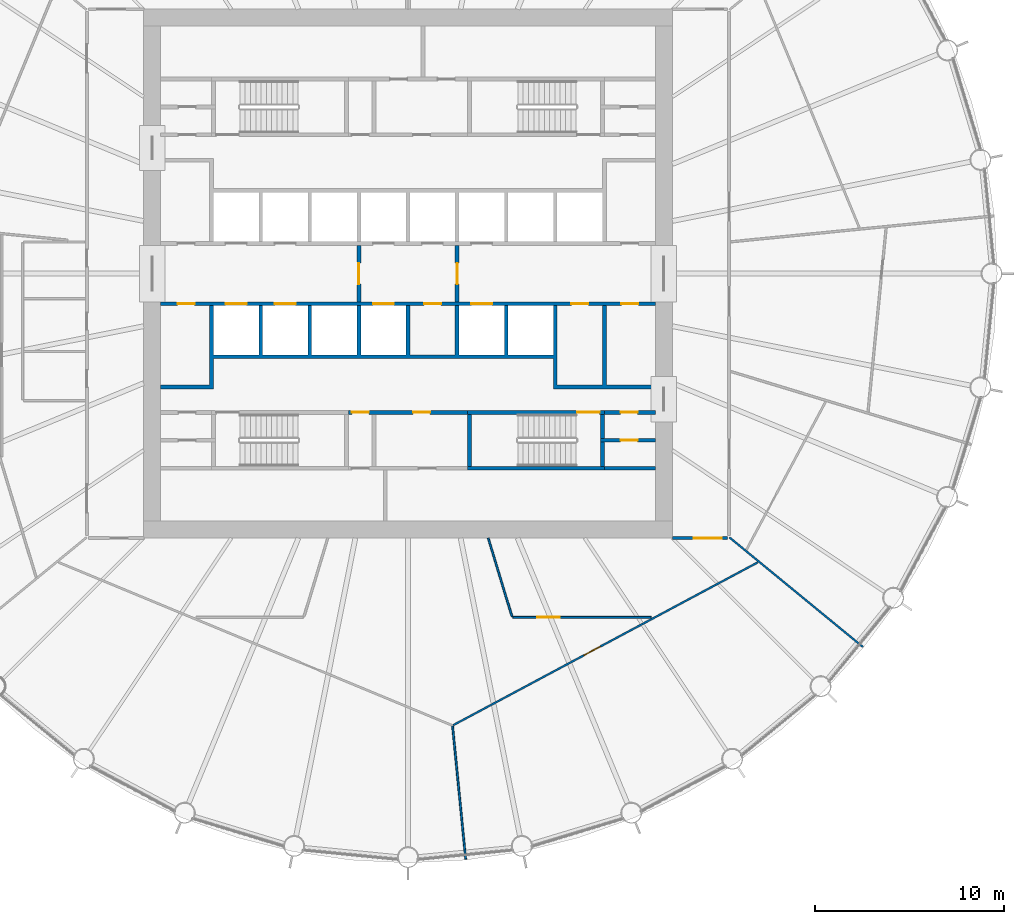
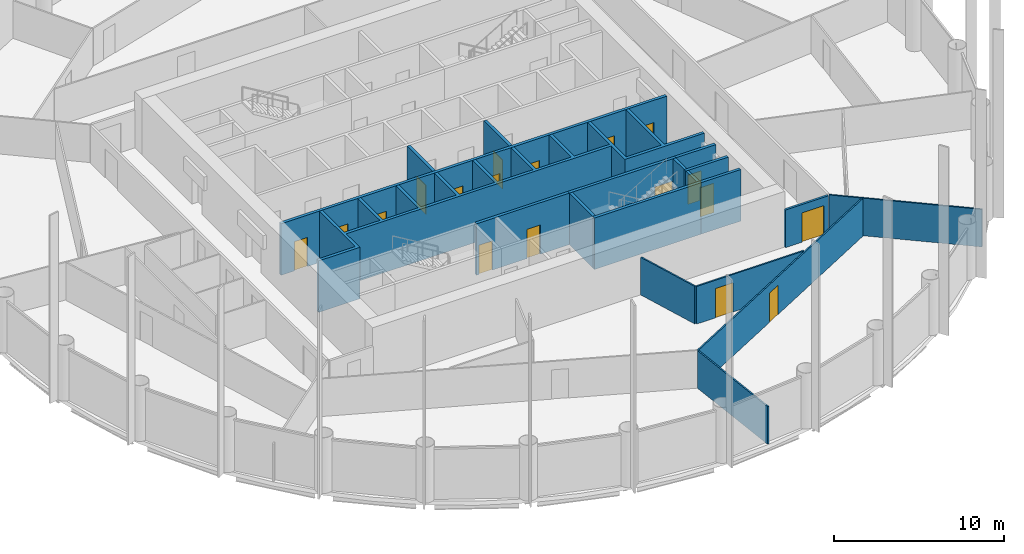
# One storey, part 5 of 9: 19 walls, 18 doors, 18 openings.
"""IFC4 building model written with IfcOpenShell, lengths in metres."""

from ifc_helpers import new_model, si_unit, direction, frame, frame_2d, origin, place, context, subcontext, project, spatial, polyline, rectangle, outline, extrude, material, layer, layer_set, type_object, element, fill, save


model = new_model("IFC4")

# Units and contexts
model_context = context("Model", 3, precision=1e-05, world=origin(), true_north=direction((0.0, 1.0)))
body_context = subcontext(model_context, "Body", "Model", "MODEL_VIEW")
ifc_project = project(units=[si_unit("LENGTHUNIT", "METRE"), si_unit("AREAUNIT", "SQUARE_METRE"), si_unit("VOLUMEUNIT", "CUBIC_METRE"), si_unit("PLANEANGLEUNIT", "RADIAN"), si_unit("MASSUNIT", "GRAM", prefix="KILO")], contexts=[model_context])

# Site, building, storey
site_placement = place(None, origin())
site = spatial("IfcSite", under=ifc_project, at=site_placement, CompositionType="ELEMENT")
building_placement = place(site_placement, origin())
building = spatial("IfcBuilding", under=site, at=building_placement, Name="Corvane Civic Tower", CompositionType="ELEMENT")
storey_placement = place(building_placement, frame((0.0, 0.0, 188.0)))
storey = spatial("IfcBuildingStorey", under=building, at=storey_placement, Name="L44", CompositionType="ELEMENT", Elevation=188.0)

# Wall, opening, door
ifc_material_1 = material(Name="Concrete C30/37", Category="concrete")
ifc_layer_1 = layer(ifc_material_1, 0.199951171875)
ifc_layer_set_1 = layer_set([ifc_layer_1], Name="Concrete C30/37")
wall_type_1 = type_object("IfcWallType", Name="CR-WALL-200", PredefinedType="PARTITIONING", material=ifc_layer_set_1)
wall_1_placement = place(storey_placement, frame((10.199951171875, -8.824951171875, 0.0), z_axis=(0.0, 0.0, 1.0), x_axis=(1.0, 0.0, 0.0)))
wall_1 = element("IfcWall", 1, at=wall_1_placement, inside=storey, type_object=wall_type_1, Name="L44 partition wall", PredefinedType="PARTITIONING", context=body_context, shape_type="SweptSolid", body=[
    extrude(rectangle(XDim=2.900146484375, YDim=0.199951171875, at=frame_2d((1.4501953125, 0.0))), origin(), (0.0, 0.0, 1.0), 3.699951171875),
])
opening_1_placement = place(wall_1_placement, frame((1.050048828125, 0.0, 0.0)))
opening_1 = element("IfcOpeningElement", 2, at=opening_1_placement, cuts=wall_1, Name="Opening L44.C22", PredefinedType="OPENING", context=body_context, shape_type="SweptSolid", body=[
    extrude(rectangle(XDim=0.89990234375, YDim=2.10009765625, at=frame_2d((0.449951171875, 1.050048828125))), frame((0.0, 0.10986328125, 0.0), z_axis=(0.0, -1.0, 0.0), x_axis=(1.0, 0.0, 0.0)), (0.0, 0.0, 1.0), 0.219970703125),
])
ifc_material_2 = material(Name="Steel fire door leaf", Category="steel")
door_type_1 = type_object("IfcDoorType", Name="CR-DOOR-900", OperationType="SINGLE_SWING_LEFT", PredefinedType="DOOR", material=ifc_material_2)
door_1_placement = place(opening_1_placement, origin())
door_1 = element("IfcDoor", 3, at=door_1_placement, inside=storey, type_object=door_type_1, Name="L44 door", OperationType="SINGLE_SWING_LEFT", OverallHeight=2.10009765625, OverallWidth=0.89990234375, PredefinedType="DOOR", context=body_context, shape_type="SweptSolid", body=[
    extrude(rectangle(XDim=0.89990234375, YDim=2.10009765625, at=frame_2d((0.449951171875, 1.050048828125))), frame((0.0, 0.02490234375, 0.0), z_axis=(0.0, -1.0, 0.0), x_axis=(1.0, 0.0, 0.0)), (0.0, 0.0, 1.0), 0.050048828125),
])
fill(opening_1, door_1)

# Wall, openings, doors
wall_2_placement = place(storey_placement, frame((-3.14990234375, -7.35009765625, 0.0), z_axis=(0.0, 0.0, 1.0), x_axis=(1.0, 0.0, 0.0)))
wall_2 = element("IfcWall", 4, at=wall_2_placement, inside=storey, type_object=wall_type_1, Name="L44 core partition wall", PredefinedType="PARTITIONING", context=body_context, shape_type="SweptSolid", body=[
    extrude(rectangle(XDim=6.2998046875, YDim=0.199951171875, at=frame_2d((3.14990234375, 0.0))), origin(), (0.0, 0.0, 1.0), 3.699951171875),
])
opening_2_placement = place(wall_2_placement, frame((0.175048828125, 0.0, 0.0)))
opening_2 = element("IfcOpeningElement", 5, at=opening_2_placement, cuts=wall_2, Name="Opening L44.C09", PredefinedType="OPENING", context=body_context, shape_type="SweptSolid", body=[
    extrude(rectangle(XDim=0.89990234375, YDim=2.10009765625, at=frame_2d((0.449951171875, 1.050048828125))), frame((0.0, 0.10986328125, 0.0), z_axis=(0.0, -1.0, 0.0), x_axis=(1.0, 0.0, 0.0)), (0.0, 0.0, 1.0), 0.219970703125),
])
opening_3_placement = place(wall_2_placement, frame((3.425048828125, 0.0, 0.0)))
opening_3 = element("IfcOpeningElement", 6, at=opening_3_placement, cuts=wall_2, Name="Opening L44.C10", PredefinedType="OPENING", context=body_context, shape_type="SweptSolid", body=[
    extrude(rectangle(XDim=0.89990234375, YDim=2.10009765625, at=frame_2d((0.449951171875, 1.050048828125))), frame((0.0, 0.10986328125, 0.0), z_axis=(0.0, -1.0, 0.0), x_axis=(1.0, 0.0, 0.0)), (0.0, 0.0, 1.0), 0.219970703125),
])
door_2_placement = place(opening_2_placement, origin())
door_2 = element("IfcDoor", 7, at=door_2_placement, inside=storey, type_object=door_type_1, Name="L44 door", OperationType="SINGLE_SWING_LEFT", OverallHeight=2.10009765625, OverallWidth=0.89990234375, PredefinedType="DOOR", context=body_context, shape_type="SweptSolid", body=[
    extrude(rectangle(XDim=0.89990234375, YDim=2.10009765625, at=frame_2d((0.449951171875, 1.050048828125))), frame((0.0, 0.02490234375, 0.0), z_axis=(0.0, -1.0, 0.0), x_axis=(1.0, 0.0, 0.0)), (0.0, 0.0, 1.0), 0.050048828125),
])
fill(opening_2, door_2)
door_3_placement = place(opening_3_placement, origin())
door_3 = element("IfcDoor", 8, at=door_3_placement, inside=storey, type_object=door_type_1, Name="L44 door", OperationType="SINGLE_SWING_LEFT", OverallHeight=2.10009765625, OverallWidth=0.89990234375, PredefinedType="DOOR", context=body_context, shape_type="SweptSolid", body=[
    extrude(rectangle(XDim=0.89990234375, YDim=2.10009765625, at=frame_2d((0.449951171875, 1.050048828125))), frame((0.0, 0.02490234375, 0.0), z_axis=(0.0, -1.0, 0.0), x_axis=(1.0, 0.0, 0.0)), (0.0, 0.0, 1.0), 0.050048828125),
])
fill(opening_3, door_3)

# Wall, opening, door
wall_3_placement = place(storey_placement, frame((10.39990234375, -7.35009765625, 0.0), z_axis=(0.0, 0.0, 1.0), x_axis=(1.0, 0.0, 0.0)))
wall_3 = element("IfcWall", 9, at=wall_3_placement, inside=storey, type_object=wall_type_1, Name="L44 core partition wall", PredefinedType="PARTITIONING", context=body_context, shape_type="SweptSolid", body=[
    extrude(rectangle(XDim=2.7001953125, YDim=0.199951171875, at=frame_2d((1.35009765625, 0.0))), origin(), (0.0, 0.0, 1.0), 3.699951171875),
])
opening_4_placement = place(wall_3_placement, frame((0.85009765625, 0.0, 0.0)))
opening_4 = element("IfcOpeningElement", 10, at=opening_4_placement, cuts=wall_3, Name="Opening L44.C21", PredefinedType="OPENING", context=body_context, shape_type="SweptSolid", body=[
    extrude(rectangle(XDim=0.89990234375, YDim=2.10009765625, at=frame_2d((0.449951171875, 1.050048828125))), frame((0.0, 0.10986328125, 0.0), z_axis=(0.0, -1.0, 0.0), x_axis=(1.0, 0.0, 0.0)), (0.0, 0.0, 1.0), 0.219970703125),
])
door_4_placement = place(opening_4_placement, origin())
door_4 = element("IfcDoor", 11, at=door_4_placement, inside=storey, type_object=door_type_1, Name="L44 door", OperationType="SINGLE_SWING_LEFT", OverallHeight=2.10009765625, OverallWidth=0.89990234375, PredefinedType="DOOR", context=body_context, shape_type="SweptSolid", body=[
    extrude(rectangle(XDim=0.89990234375, YDim=2.10009765625, at=frame_2d((0.449951171875, 1.050048828125))), frame((0.0, 0.02490234375, 0.0), z_axis=(0.0, -1.0, 0.0), x_axis=(1.0, 0.0, 0.0)), (0.0, 0.0, 1.0), 0.050048828125),
])
fill(opening_4, door_4)

# Wall, openings, doors
wall_4_placement = place(storey_placement, frame((-13.10009765625, -1.60009765625, 0.0), z_axis=(0.0, 0.0, 1.0), x_axis=(1.0, 0.0, 0.0)))
wall_4 = element("IfcWall", 12, at=wall_4_placement, inside=storey, type_object=wall_type_1, Name="L44 lift shaft wall", PredefinedType="PARTITIONING", context=body_context, shape_type="SweptSolid", body=[
    extrude(rectangle(XDim=26.2001953125, YDim=0.199951171875, at=frame_2d((13.10009765625, 0.0))), origin(), (0.0, 0.0, 1.0), 3.699951171875),
])
opening_5_placement = place(wall_4_placement, frame((3.449951171875, 0.0, 0.0)))
opening_5 = element("IfcOpeningElement", 13, at=opening_5_placement, cuts=wall_4, Name="Opening LD", PredefinedType="OPENING", context=body_context, shape_type="SweptSolid", body=[
    extrude(rectangle(XDim=1.10009765625, YDim=2.10009765625, at=frame_2d((0.550048828125, 1.050048828125))), frame((0.0, 0.10986328125, 0.0), z_axis=(0.0, -1.0, 0.0), x_axis=(1.0, 0.0, 0.0)), (0.0, 0.0, 1.0), 0.219970703125),
])
opening_6_placement = place(wall_4_placement, frame((6.050048828125, 0.0, 0.0)))
opening_6 = element("IfcOpeningElement", 14, at=opening_6_placement, cuts=wall_4, Name="Opening LD", PredefinedType="OPENING", context=body_context, shape_type="SweptSolid", body=[
    extrude(rectangle(XDim=1.10009765625, YDim=2.10009765625, at=frame_2d((0.550048828125, 1.050048828125))), frame((0.0, 0.10986328125, 0.0), z_axis=(0.0, -1.0, 0.0), x_axis=(1.0, 0.0, 0.0)), (0.0, 0.0, 1.0), 0.219970703125),
])
opening_7_placement = place(wall_4_placement, frame((11.25, 0.0, 0.0)))
opening_7 = element("IfcOpeningElement", 15, at=opening_7_placement, cuts=wall_4, Name="Opening LD", PredefinedType="OPENING", context=body_context, shape_type="SweptSolid", body=[
    extrude(rectangle(XDim=1.10009765625, YDim=2.10009765625, at=frame_2d((0.550048828125, 1.050048828125))), frame((0.0, 0.10986328125, 0.0), z_axis=(0.0, -1.0, 0.0), x_axis=(1.0, 0.0, 0.0)), (0.0, 0.0, 1.0), 0.219970703125),
])
opening_8_placement = place(wall_4_placement, frame((13.949951171875, 0.0, 0.0)))
opening_8 = element("IfcOpeningElement", 16, at=opening_8_placement, cuts=wall_4, Name="Opening L44.C03", PredefinedType="OPENING", context=body_context, shape_type="SweptSolid", body=[
    extrude(rectangle(XDim=0.89990234375, YDim=2.10009765625, at=frame_2d((0.449951171875, 1.050048828125))), frame((0.0, 0.10986328125, 0.0), z_axis=(0.0, -1.0, 0.0), x_axis=(1.0, 0.0, 0.0)), (0.0, 0.0, 1.0), 0.219970703125),
])
opening_9_placement = place(wall_4_placement, frame((16.449951171875, 0.0, 0.0)))
opening_9 = element("IfcOpeningElement", 17, at=opening_9_placement, cuts=wall_4, Name="Opening LD", PredefinedType="OPENING", context=body_context, shape_type="SweptSolid", body=[
    extrude(rectangle(XDim=1.10009765625, YDim=2.10009765625, at=frame_2d((0.550048828125, 1.050048828125))), frame((0.0, 0.10986328125, 0.0), z_axis=(0.0, -1.0, 0.0), x_axis=(1.0, 0.0, 0.0)), (0.0, 0.0, 1.0), 0.219970703125),
])
opening_10_placement = place(wall_4_placement, frame((0.89990234375, 0.0, 0.0)))
opening_10 = element("IfcOpeningElement", 18, at=opening_10_placement, cuts=wall_4, Name="Opening L44.C04", PredefinedType="OPENING", context=body_context, shape_type="SweptSolid", body=[
    extrude(rectangle(XDim=0.89990234375, YDim=2.10009765625, at=frame_2d((0.449951171875, 1.050048828125))), frame((0.0, 0.10986328125, 0.0), z_axis=(0.0, -1.0, 0.0), x_axis=(1.0, 0.0, 0.0)), (0.0, 0.0, 1.0), 0.219970703125),
])
opening_11_placement = place(wall_4_placement, frame((21.75, 0.0, 0.0)))
opening_11 = element("IfcOpeningElement", 19, at=opening_11_placement, cuts=wall_4, Name="Opening L44.C05", PredefinedType="OPENING", context=body_context, shape_type="SweptSolid", body=[
    extrude(rectangle(XDim=0.89990234375, YDim=2.10009765625, at=frame_2d((0.449951171875, 1.050048828125))), frame((0.0, 0.10986328125, 0.0), z_axis=(0.0, -1.0, 0.0), x_axis=(1.0, 0.0, 0.0)), (0.0, 0.0, 1.0), 0.219970703125),
])
opening_12_placement = place(wall_4_placement, frame((24.39990234375, 0.0, 0.0)))
opening_12 = element("IfcOpeningElement", 20, at=opening_12_placement, cuts=wall_4, Name="Opening L44.C06", PredefinedType="OPENING", context=body_context, shape_type="SweptSolid", body=[
    extrude(rectangle(XDim=0.89990234375, YDim=2.10009765625, at=frame_2d((0.449951171875, 1.050048828125))), frame((0.0, 0.10986328125, 0.0), z_axis=(0.0, -1.0, 0.0), x_axis=(1.0, 0.0, 0.0)), (0.0, 0.0, 1.0), 0.219970703125),
])
door_5_placement = place(opening_8_placement, origin())
door_5 = element("IfcDoor", 21, at=door_5_placement, inside=storey, type_object=door_type_1, Name="L44 door", OperationType="SINGLE_SWING_LEFT", OverallHeight=2.10009765625, OverallWidth=0.89990234375, PredefinedType="DOOR", context=body_context, shape_type="SweptSolid", body=[
    extrude(rectangle(XDim=0.89990234375, YDim=2.10009765625, at=frame_2d((0.449951171875, 1.050048828125))), frame((0.0, 0.02490234375, 0.0), z_axis=(0.0, -1.0, 0.0), x_axis=(1.0, 0.0, 0.0)), (0.0, 0.0, 1.0), 0.050048828125),
])
fill(opening_8, door_5)
door_6_placement = place(opening_10_placement, origin())
door_6 = element("IfcDoor", 22, at=door_6_placement, inside=storey, type_object=door_type_1, Name="L44 door", OperationType="SINGLE_SWING_LEFT", OverallHeight=2.10009765625, OverallWidth=0.89990234375, PredefinedType="DOOR", context=body_context, shape_type="SweptSolid", body=[
    extrude(rectangle(XDim=0.89990234375, YDim=2.10009765625, at=frame_2d((0.449951171875, 1.050048828125))), frame((0.0, 0.02490234375, 0.0), z_axis=(0.0, -1.0, 0.0), x_axis=(1.0, 0.0, 0.0)), (0.0, 0.0, 1.0), 0.050048828125),
])
fill(opening_10, door_6)
door_7_placement = place(opening_11_placement, origin())
door_7 = element("IfcDoor", 23, at=door_7_placement, inside=storey, type_object=door_type_1, Name="L44 door", OperationType="SINGLE_SWING_LEFT", OverallHeight=2.10009765625, OverallWidth=0.89990234375, PredefinedType="DOOR", context=body_context, shape_type="SweptSolid", body=[
    extrude(rectangle(XDim=0.89990234375, YDim=2.10009765625, at=frame_2d((0.449951171875, 1.050048828125))), frame((0.0, 0.02490234375, 0.0), z_axis=(0.0, -1.0, 0.0), x_axis=(1.0, 0.0, 0.0)), (0.0, 0.0, 1.0), 0.050048828125),
])
fill(opening_11, door_7)
door_8_placement = place(opening_12_placement, origin())
door_8 = element("IfcDoor", 24, at=door_8_placement, inside=storey, type_object=door_type_1, Name="L44 door", OperationType="SINGLE_SWING_LEFT", OverallHeight=2.10009765625, OverallWidth=0.89990234375, PredefinedType="DOOR", context=body_context, shape_type="SweptSolid", body=[
    extrude(rectangle(XDim=0.89990234375, YDim=2.10009765625, at=frame_2d((0.449951171875, 1.050048828125))), frame((0.0, 0.02490234375, 0.0), z_axis=(0.0, -1.0, 0.0), x_axis=(1.0, 0.0, 0.0)), (0.0, 0.0, 1.0), 0.050048828125),
])
fill(opening_12, door_8)
ifc_material_3 = material(Name="Stainless steel 316 door leaves", Category="steel")
door_type_2 = type_object("IfcDoorType", Name="LD", OperationType="DOUBLE_DOOR_SLIDING", PredefinedType="DOOR", material=ifc_material_3)
door_9_placement = place(opening_5_placement, origin())
door_9 = element("IfcDoor", 25, at=door_9_placement, inside=storey, type_object=door_type_2, Name="L44 landing door", OperationType="DOUBLE_DOOR_SLIDING", OverallHeight=2.10009765625, OverallWidth=1.10009765625, PredefinedType="DOOR", context=body_context, shape_type="SweptSolid", body=[
    extrude(rectangle(XDim=1.10009765625, YDim=2.10009765625, at=frame_2d((0.550048828125, 1.050048828125))), frame((0.0, 0.02490234375, 0.0), z_axis=(0.0, -1.0, 0.0), x_axis=(1.0, 0.0, 0.0)), (0.0, 0.0, 1.0), 0.050048828125),
])
fill(opening_5, door_9)
door_10_placement = place(opening_6_placement, origin())
door_10 = element("IfcDoor", 26, at=door_10_placement, inside=storey, type_object=door_type_2, Name="L44 landing door", OperationType="DOUBLE_DOOR_SLIDING", OverallHeight=2.10009765625, OverallWidth=1.10009765625, PredefinedType="DOOR", context=body_context, shape_type="SweptSolid", body=[
    extrude(rectangle(XDim=1.10009765625, YDim=2.10009765625, at=frame_2d((0.550048828125, 1.050048828125))), frame((0.0, 0.02490234375, 0.0), z_axis=(0.0, -1.0, 0.0), x_axis=(1.0, 0.0, 0.0)), (0.0, 0.0, 1.0), 0.050048828125),
])
fill(opening_6, door_10)
door_11_placement = place(opening_7_placement, origin())
door_11 = element("IfcDoor", 27, at=door_11_placement, inside=storey, type_object=door_type_2, Name="L44 landing door", OperationType="DOUBLE_DOOR_SLIDING", OverallHeight=2.10009765625, OverallWidth=1.10009765625, PredefinedType="DOOR", context=body_context, shape_type="SweptSolid", body=[
    extrude(rectangle(XDim=1.10009765625, YDim=2.10009765625, at=frame_2d((0.550048828125, 1.050048828125))), frame((0.0, 0.02490234375, 0.0), z_axis=(0.0, -1.0, 0.0), x_axis=(1.0, 0.0, 0.0)), (0.0, 0.0, 1.0), 0.050048828125),
])
fill(opening_7, door_11)
door_12_placement = place(opening_9_placement, origin())
door_12 = element("IfcDoor", 28, at=door_12_placement, inside=storey, type_object=door_type_2, Name="L44 landing door", OperationType="DOUBLE_DOOR_SLIDING", OverallHeight=2.10009765625, OverallWidth=1.10009765625, PredefinedType="DOOR", context=body_context, shape_type="SweptSolid", body=[
    extrude(rectangle(XDim=1.10009765625, YDim=2.10009765625, at=frame_2d((0.550048828125, 1.050048828125))), frame((0.0, 0.02490234375, 0.0), z_axis=(0.0, -1.0, 0.0), x_axis=(1.0, 0.0, 0.0)), (0.0, 0.0, 1.0), 0.050048828125),
])
fill(opening_9, door_12)

# Wall, opening, door
wall_5_placement = place(storey_placement, frame((-2.60009765625, -1.5, 0.0), z_axis=(0.0, 0.0, 1.0), x_axis=(0.0, 1.0, 0.0)))
wall_5 = element("IfcWall", 29, at=wall_5_placement, inside=storey, type_object=wall_type_1, Name="L44 firefighting lobby wall", PredefinedType="PARTITIONING", context=body_context, shape_type="SweptSolid", body=[
    extrude(rectangle(XDim=3.0, YDim=0.199951171875, at=frame_2d((1.5, 0.0))), origin(), (0.0, 0.0, 1.0), 3.699951171875),
])
opening_13_placement = place(wall_5_placement, frame((0.949951171875, 0.0, 0.0)))
opening_13 = element("IfcOpeningElement", 30, at=opening_13_placement, cuts=wall_5, Name="Opening L44.C27", PredefinedType="OPENING", context=body_context, shape_type="SweptSolid", body=[
    extrude(rectangle(XDim=1.10009765625, YDim=2.10009765625, at=frame_2d((0.550048828125, 1.050048828125))), frame((0.0, 0.10986328125, 0.0), z_axis=(0.0, -1.0, 0.0), x_axis=(1.0, 0.0, 0.0)), (0.0, 0.0, 1.0), 0.219970703125),
])
ifc_material_4 = material(Name="Steel fire door leaf", Category="steel")
door_type_3 = type_object("IfcDoorType", Name="CR-DOOR-FFL-1100", OperationType="SINGLE_SWING_LEFT", PredefinedType="DOOR", material=ifc_material_4)
door_13_placement = place(opening_13_placement, origin())
door_13 = element("IfcDoor", 31, at=door_13_placement, inside=storey, type_object=door_type_3, Name="L44 lobby door", OperationType="SINGLE_SWING_LEFT", OverallHeight=2.10009765625, OverallWidth=1.10009765625, PredefinedType="DOOR", context=body_context, shape_type="SweptSolid", body=[
    extrude(rectangle(XDim=1.10009765625, YDim=2.10009765625, at=frame_2d((0.550048828125, 1.050048828125))), frame((0.0, 0.02490234375, 0.0), z_axis=(0.0, -1.0, 0.0), x_axis=(1.0, 0.0, 0.0)), (0.0, 0.0, 1.0), 0.050048828125),
])
fill(opening_13, door_13)

wall_6_placement = place(storey_placement, frame((2.60009765625, -1.5, 0.0), z_axis=(0.0, 0.0, 1.0), x_axis=(0.0, 1.0, 0.0)))
wall_6 = element("IfcWall", 32, at=wall_6_placement, inside=storey, type_object=wall_type_1, Name="L44 firefighting lobby wall", PredefinedType="PARTITIONING", context=body_context, shape_type="SweptSolid", body=[
    extrude(rectangle(XDim=3.0, YDim=0.199951171875, at=frame_2d((1.5, 0.0))), origin(), (0.0, 0.0, 1.0), 3.699951171875),
])
opening_14_placement = place(wall_6_placement, frame((0.949951171875, 0.0, 0.0)))
opening_14 = element("IfcOpeningElement", 33, at=opening_14_placement, cuts=wall_6, Name="Opening L44.C28", PredefinedType="OPENING", context=body_context, shape_type="SweptSolid", body=[
    extrude(rectangle(XDim=1.10009765625, YDim=2.10009765625, at=frame_2d((0.550048828125, 1.050048828125))), frame((0.0, 0.10986328125, 0.0), z_axis=(0.0, -1.0, 0.0), x_axis=(1.0, 0.0, 0.0)), (0.0, 0.0, 1.0), 0.219970703125),
])
door_14_placement = place(opening_14_placement, origin())
door_14 = element("IfcDoor", 34, at=door_14_placement, inside=storey, type_object=door_type_3, Name="L44 lobby door", OperationType="SINGLE_SWING_LEFT", OverallHeight=2.10009765625, OverallWidth=1.10009765625, PredefinedType="DOOR", context=body_context, shape_type="SweptSolid", body=[
    extrude(rectangle(XDim=1.10009765625, YDim=2.10009765625, at=frame_2d((0.550048828125, 1.050048828125))), frame((0.0, 0.02490234375, 0.0), z_axis=(0.0, -1.0, 0.0), x_axis=(1.0, 0.0, 0.0)), (0.0, 0.0, 1.0), 0.050048828125),
])
fill(opening_14, door_14)

# Walls
wall_7_placement = place(storey_placement, origin())
element("IfcWall", 35, at=wall_7_placement, inside=storey, type_object=wall_type_1, Name="L44 core partition wall", PredefinedType="PARTITIONING", context=body_context, shape_type="SweptSolid", body=[
    extrude(outline(polyline([(-10.5, -1.699951171875), (-10.300048828125, -1.699951171875), (-10.300048828125, -4.300048828125), (-7.89990234375, -4.300048828125), (-7.89990234375, -1.699951171875), (-7.699951171875, -1.699951171875), (-7.699951171875, -4.300048828125), (-5.300048828125, -4.300048828125), (-5.300048828125, -1.699951171875), (-5.10009765625, -1.699951171875), (-5.10009765625, -4.300048828125), (-2.699951171875, -4.300048828125), (-2.699951171875, -1.699951171875), (-2.5, -1.699951171875), (-2.5, -4.300048828125), (-0.10009765625, -4.300048828125), (-0.10009765625, -1.699951171875), (0.10009765625, -1.699951171875), (0.10009765625, -4.300048828125), (2.5, -4.300048828125), (2.5, -1.699951171875), (2.699951171875, -1.699951171875), (2.699951171875, -4.300048828125), (5.10009765625, -4.300048828125), (5.10009765625, -1.699951171875), (5.300048828125, -1.699951171875), (5.300048828125, -4.300048828125), (7.699951171875, -4.300048828125), (7.699951171875, -1.699951171875), (7.89990234375, -1.699951171875), (7.89990234375, -5.89990234375), (10.300048828125, -5.89990234375), (10.300048828125, -1.699951171875), (10.5, -1.699951171875), (10.5, -5.89990234375), (13.10009765625, -5.89990234375), (13.10009765625, -6.10009765625), (7.699951171875, -6.10009765625), (7.699951171875, -4.5), (-10.300048828125, -4.5), (-10.300048828125, -6.10009765625), (-13.10009765625, -6.10009765625), (-13.10009765625, -5.89990234375), (-10.5, -5.89990234375), (-10.5, -1.699951171875)])), origin(), (0.0, 0.0, 1.0), 3.699951171875),
])
wall_8_placement = place(storey_placement, origin())
element("IfcWall", 36, at=wall_8_placement, inside=storey, type_object=wall_type_1, Name="L44 core partition wall", PredefinedType="PARTITIONING", context=body_context, shape_type="SweptSolid", body=[
    extrude(outline(polyline([(10.39990234375, -10.39990234375), (10.39990234375, -10.199951171875), (13.10009765625, -10.199951171875), (13.10009765625, -10.39990234375), (10.39990234375, -10.39990234375)])), origin(), (0.0, 0.0, 1.0), 3.699951171875),
])
ifc_material_5 = material(Name="Plasterboard")
ifc_layer_2 = layer(ifc_material_5, 0.10009765625)
ifc_layer_set_2 = layer_set([ifc_layer_2], Name="Plasterboard")
wall_type_2 = type_object("IfcWallType", Name="Partition 100 plasterboard on studs", PredefinedType="PARTITIONING", material=ifc_layer_set_2)
wall_9_placement = place(storey_placement, frame((2.35986328125, -23.959228515625, 0.0), z_axis=(0.0, 0.0, 1.0), x_axis=(0.098000323415, -0.99518638285, 0.0)))
element("IfcWall", 37, at=wall_9_placement, inside=storey, type_object=wall_type_2, Name="Partition L44.001", PredefinedType="PARTITIONING", context=body_context, shape_type="SweptSolid", body=[
    extrude(rectangle(XDim=7.074951171875, YDim=0.10009765625, at=frame_2d((3.53759765625, 0.0))), origin(), (0.0, 0.0, 1.0), 2.699951171875),
])

# Wall, opening, door
wall_10_placement = place(storey_placement, frame((2.385986328125, -23.91015625, 0.0), z_axis=(0.0, 0.0, 1.0), x_axis=(0.881918084069, 0.471402686663, 0.0)))
wall_10 = element("IfcWall", 38, at=wall_10_placement, inside=storey, type_object=wall_type_2, Name="Partition L44.003", PredefinedType="PARTITIONING", context=body_context, shape_type="SweptSolid", body=[
    extrude(rectangle(XDim=18.292236328125, YDim=0.10009765625, at=frame_2d((9.14599609375, 0.0))), origin(), (0.0, 0.0, 1.0), 2.699951171875),
])
opening_15_placement = place(wall_10_placement, frame((7.849609375, 0.0, 0.0)))
opening_15 = element("IfcOpeningElement", 39, at=opening_15_placement, cuts=wall_10, Name="Opening L44.007", PredefinedType="OPENING", context=body_context, shape_type="SweptSolid", body=[
    extrude(rectangle(XDim=1.0, YDim=2.10009765625, at=frame_2d((0.5, 1.050048828125))), frame((0.0, 0.06005859375, 0.0), z_axis=(0.0, -1.0, 0.0), x_axis=(1.0, 0.0, 0.0)), (0.0, 0.0, 1.0), 0.1201171875),
])
ifc_material_6 = material(Name="Timber", Category="wood")
door_type_4 = type_object("IfcDoorType", Name="Single door 1000", OperationType="NOTDEFINED", PredefinedType="DOOR", material=ifc_material_6)
door_15_placement = place(opening_15_placement, frame((1.0, 0.0, 0.0), z_axis=(0.0, 0.0, 1.0), x_axis=(-1.0, 0.0, 0.0)))
door_15 = element("IfcDoor", 40, at=door_15_placement, inside=storey, type_object=door_type_4, Name="Door L44.007", OperationType="SINGLE_SWING_RIGHT", OverallHeight=2.10009765625, OverallWidth=1.0, PredefinedType="DOOR", context=body_context, shape_type="SweptSolid", body=[
    extrude(rectangle(XDim=1.0, YDim=2.10009765625, at=frame_2d((0.5, 1.050048828125))), frame((0.0, 0.02490234375, 0.0), z_axis=(0.0, -1.0, 0.0), x_axis=(1.0, 0.0, 0.0)), (0.0, 0.0, 1.0), 0.050048828125),
])
fill(opening_15, door_15)

# Wall
wall_11_placement = place(storey_placement, frame((17.018310546875, -13.966552734375, 0.0), z_axis=(0.0, 0.0, 1.0), x_axis=(0.773006154143, -0.634398522742, 0.0)))
element("IfcWall", 41, at=wall_11_placement, inside=storey, type_object=wall_type_2, Name="Partition L44.005", PredefinedType="PARTITIONING", context=body_context, shape_type="SweptSolid", body=[
    extrude(rectangle(XDim=9.134521484375, YDim=0.10009765625, at=frame_2d((4.5673828125, 0.0))), origin(), (0.0, 0.0, 1.0), 2.699951171875),
])

# Wall, opening, door
wall_12_placement = place(storey_placement, frame((5.55810546875, -18.199951171875, 0.0), z_axis=(0.0, 0.0, 1.0), x_axis=(1.0, 0.0, 0.0)))
wall_12 = element("IfcWall", 42, at=wall_12_placement, inside=storey, type_object=wall_type_2, Name="Partition L44.007", PredefinedType="PARTITIONING", context=body_context, shape_type="SweptSolid", body=[
    extrude(rectangle(XDim=7.311279296875, YDim=0.10009765625, at=frame_2d((3.65576171875, 0.0))), origin(), (0.0, 0.0, 1.0), 2.699951171875),
])
opening_16_placement = place(wall_12_placement, frame((1.2802734375, 0.0, 0.0)))
opening_16 = element("IfcOpeningElement", 43, at=opening_16_placement, cuts=wall_12, Name="Opening L44.009", PredefinedType="OPENING", context=body_context, shape_type="SweptSolid", body=[
    extrude(rectangle(XDim=1.199951171875, YDim=2.10009765625, at=frame_2d((0.60009765625, 1.050048828125))), frame((0.0, 0.06005859375, 0.0), z_axis=(0.0, -1.0, 0.0), x_axis=(1.0, 0.0, 0.0)), (0.0, 0.0, 1.0), 0.1201171875),
])
ifc_material_7 = material(Name="Timber", Category="wood")
door_type_5 = type_object("IfcDoorType", Name="Double door 1200", OperationType="NOTDEFINED", PredefinedType="DOOR", material=ifc_material_7)
door_16_placement = place(opening_16_placement, frame((1.199951171875, 0.0, 0.0), z_axis=(0.0, 0.0, 1.0), x_axis=(-1.0, 0.0, 0.0)))
door_16 = element("IfcDoor", 44, at=door_16_placement, inside=storey, type_object=door_type_5, Name="Door L44.009", OperationType="DOUBLE_DOOR_SINGLE_SWING", OverallHeight=2.10009765625, OverallWidth=1.199951171875, PredefinedType="DOOR", context=body_context, shape_type="SweptSolid", body=[
    extrude(rectangle(XDim=1.199951171875, YDim=2.10009765625, at=frame_2d((0.60009765625, 1.050048828125))), frame((0.0, 0.02490234375, 0.0), z_axis=(0.0, -1.0, 0.0), x_axis=(1.0, 0.0, 0.0)), (0.0, 0.0, 1.0), 0.050048828125),
])
fill(opening_16, door_16)

# Wall
wall_13_placement = place(storey_placement, frame((4.246826171875, -14.0, 0.0), z_axis=(0.0, 0.0, 1.0), x_axis=(0.290259621343, -0.956947936002, 0.0)))
element("IfcWall", 45, at=wall_13_placement, inside=storey, type_object=wall_type_2, Name="Partition L44.009", PredefinedType="PARTITIONING", context=body_context, shape_type="SweptSolid", body=[
    extrude(rectangle(XDim=4.351806640625, YDim=0.10009765625, at=frame_2d((2.17578125, 0.0))), origin(), (0.0, 0.0, 1.0), 2.699951171875),
])

# Wall, opening, door
ifc_material_8 = material(Name="Concrete C50/60", Category="concrete")
ifc_layer_3 = layer(ifc_material_8, 0.199951171875)
ifc_layer_set_3 = layer_set([ifc_layer_3], Name="Concrete C50/60")
wall_type_3 = type_object("IfcWallType", Name="ST-WALL-200", PredefinedType="SHEAR", material=ifc_layer_set_3)
wall_14_placement = place(storey_placement, frame((3.14990234375, -7.35009765625, 0.0), z_axis=(0.0, 0.0, 1.0), x_axis=(1.0, 0.0, 0.0)))
wall_14 = element("IfcWall", 46, at=wall_14_placement, inside=storey, type_object=wall_type_3, Name="L44 stair enclosure wall", PredefinedType="SHEAR", context=body_context, shape_type="SweptSolid", body=[
    extrude(rectangle(XDim=7.25, YDim=0.199951171875, at=frame_2d((3.625, 0.0))), origin(), (0.0, 0.0, 1.0), 3.699951171875),
])
opening_17_placement = place(wall_14_placement, frame((5.800048828125, 0.0, 0.0)))
opening_17 = element("IfcOpeningElement", 47, at=opening_17_placement, cuts=wall_14, Name="Opening L44.C25", PredefinedType="OPENING", context=body_context, shape_type="SweptSolid", body=[
    extrude(rectangle(XDim=1.199951171875, YDim=2.10009765625, at=frame_2d((0.60009765625, 1.050048828125))), frame((0.0, 0.10986328125, 0.0), z_axis=(0.0, -1.0, 0.0), x_axis=(1.0, 0.0, 0.0)), (0.0, 0.0, 1.0), 0.219970703125),
])
ifc_material_9 = material(Name="Steel fire door leaf", Category="steel")
door_type_6 = type_object("IfcDoorType", Name="ST-DOOR-1200", OperationType="SINGLE_SWING_RIGHT", PredefinedType="DOOR", material=ifc_material_9)
door_17_placement = place(opening_17_placement, origin())
door_17 = element("IfcDoor", 48, at=door_17_placement, inside=storey, type_object=door_type_6, Name="L44 stair door", OperationType="SINGLE_SWING_RIGHT", OverallHeight=2.10009765625, OverallWidth=1.199951171875, PredefinedType="DOOR", context=body_context, shape_type="SweptSolid", body=[
    extrude(rectangle(XDim=1.199951171875, YDim=2.10009765625, at=frame_2d((0.60009765625, 1.050048828125))), frame((0.0, 0.02490234375, 0.0), z_axis=(0.0, -1.0, 0.0), x_axis=(1.0, 0.0, 0.0)), (0.0, 0.0, 1.0), 0.050048828125),
])
fill(opening_17, door_17)

# Walls
wall_15_placement = place(storey_placement, origin())
element("IfcWall", 49, at=wall_15_placement, inside=storey, type_object=wall_type_3, Name="L44 stair enclosure wall", PredefinedType="SHEAR", context=body_context, shape_type="SweptSolid", body=[
    extrude(outline(polyline([(10.39990234375, -10.39990234375), (3.14990234375, -10.39990234375), (3.14990234375, -10.199951171875), (10.39990234375, -10.199951171875), (10.39990234375, -10.39990234375)])), origin(), (0.0, 0.0, 1.0), 3.699951171875),
])
wall_16_placement = place(storey_placement, origin())
element("IfcWall", 50, at=wall_16_placement, inside=storey, type_object=wall_type_3, Name="L44 stair enclosure wall", PredefinedType="SHEAR", context=body_context, shape_type="SweptSolid", body=[
    extrude(outline(polyline([(3.35009765625, -7.449951171875), (3.35009765625, -10.199951171875), (3.14990234375, -10.199951171875), (3.14990234375, -7.449951171875), (3.35009765625, -7.449951171875)])), origin(), (0.0, 0.0, 1.0), 3.699951171875),
])
wall_17_placement = place(storey_placement, origin())
element("IfcWall", 51, at=wall_17_placement, inside=storey, type_object=wall_type_3, Name="L44 stair enclosure wall", PredefinedType="SHEAR", context=body_context, shape_type="SweptSolid", body=[
    extrude(outline(polyline([(10.39990234375, -7.449951171875), (10.39990234375, -8.72509765625), (10.199951171875, -8.72509765625), (10.199951171875, -7.449951171875), (10.39990234375, -7.449951171875)])), origin(), (0.0, 0.0, 1.0), 3.699951171875),
])
wall_18_placement = place(storey_placement, origin())
element("IfcWall", 52, at=wall_18_placement, inside=storey, type_object=wall_type_3, Name="L44 stair enclosure wall", PredefinedType="SHEAR", context=body_context, shape_type="SweptSolid", body=[
    extrude(outline(polyline([(10.39990234375, -8.925048828125), (10.39990234375, -10.199951171875), (10.199951171875, -10.199951171875), (10.199951171875, -8.925048828125), (10.39990234375, -8.925048828125)])), origin(), (0.0, 0.0, 1.0), 3.699951171875),
])

# Wall, opening, door
ifc_material_10 = material(Name="Plasterboard")
ifc_layer_4 = layer(ifc_material_10, 0.14990234375)
ifc_layer_set_4 = layer_set([ifc_layer_4], Name="Plasterboard")
wall_type_4 = type_object("IfcWallType", Name="Tenancy wall 150 EI 60", PredefinedType="PARTITIONING", material=ifc_layer_set_4)
wall_19_placement = place(storey_placement, frame((13.989990234375, -14.0, 0.0), z_axis=(0.0, 0.0, 1.0), x_axis=(1.0, 0.0, 0.0)))
wall_19 = element("IfcWall", 53, at=wall_19_placement, inside=storey, type_object=wall_type_4, Name="Partition L44.013", PredefinedType="PARTITIONING", context=body_context, shape_type="SweptSolid", body=[
    extrude(rectangle(XDim=2.93505859375, YDim=0.14990234375, at=frame_2d((1.467529296875, 0.0))), origin(), (0.0, 0.0, 1.0), 2.699951171875),
])
opening_18_placement = place(wall_19_placement, frame((1.12548828125, 0.0, 0.0)))
opening_18 = element("IfcOpeningElement", 54, at=opening_18_placement, cuts=wall_19, Name="Opening L44.010", PredefinedType="OPENING", context=body_context, shape_type="SweptSolid", body=[
    extrude(rectangle(XDim=1.5, YDim=2.10009765625, at=frame_2d((0.75, 1.050048828125))), frame((0.0, 0.0849609375, 0.0), z_axis=(0.0, -1.0, 0.0), x_axis=(1.0, 0.0, 0.0)), (0.0, 0.0, 1.0), 0.169921875),
])
ifc_material_11 = material(Name="Steel and timber", Category="steel")
door_type_7 = type_object("IfcDoorType", Name="Fire door FD60 double 1500", OperationType="NOTDEFINED", PredefinedType="DOOR", material=ifc_material_11)
door_18_placement = place(opening_18_placement, frame((1.5, 0.0, 0.0), z_axis=(0.0, 0.0, 1.0), x_axis=(-1.0, 0.0, 0.0)))
door_18 = element("IfcDoor", 55, at=door_18_placement, inside=storey, type_object=door_type_7, Name="Door L44.010", OperationType="DOUBLE_DOOR_SINGLE_SWING", OverallHeight=2.10009765625, OverallWidth=1.5, PredefinedType="DOOR", context=body_context, shape_type="SweptSolid", body=[
    extrude(rectangle(XDim=1.5, YDim=2.10009765625, at=frame_2d((0.75, 1.050048828125))), frame((0.0, 0.02490234375, 0.0), z_axis=(0.0, -1.0, 0.0), x_axis=(1.0, 0.0, 0.0)), (0.0, 0.0, 1.0), 0.050048828125),
])
fill(opening_18, door_18)

save(model, "model.ifc")
